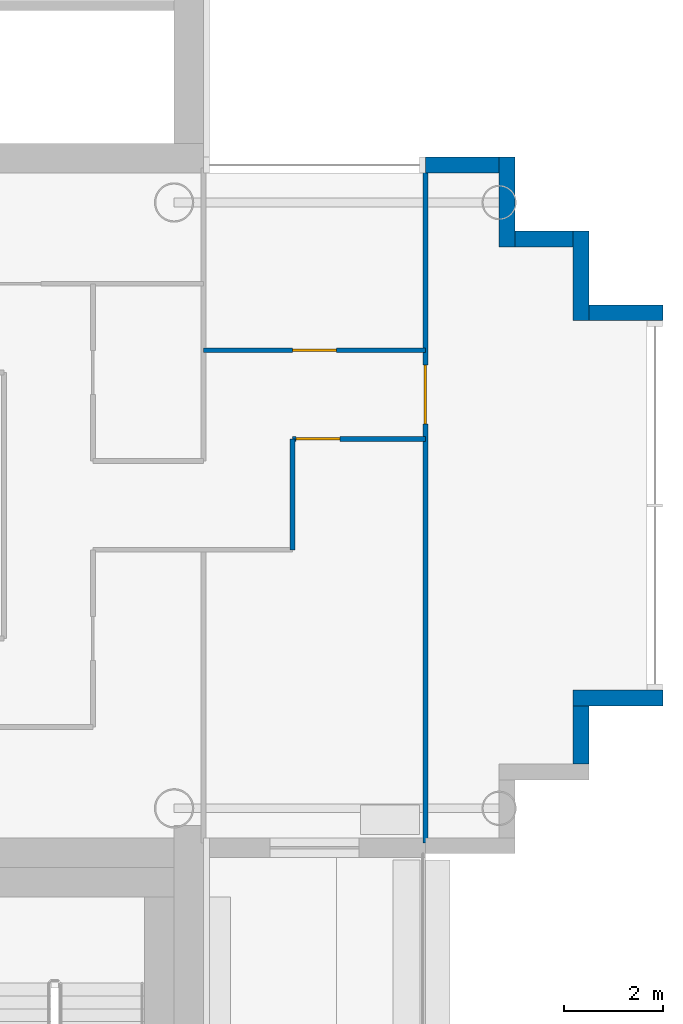
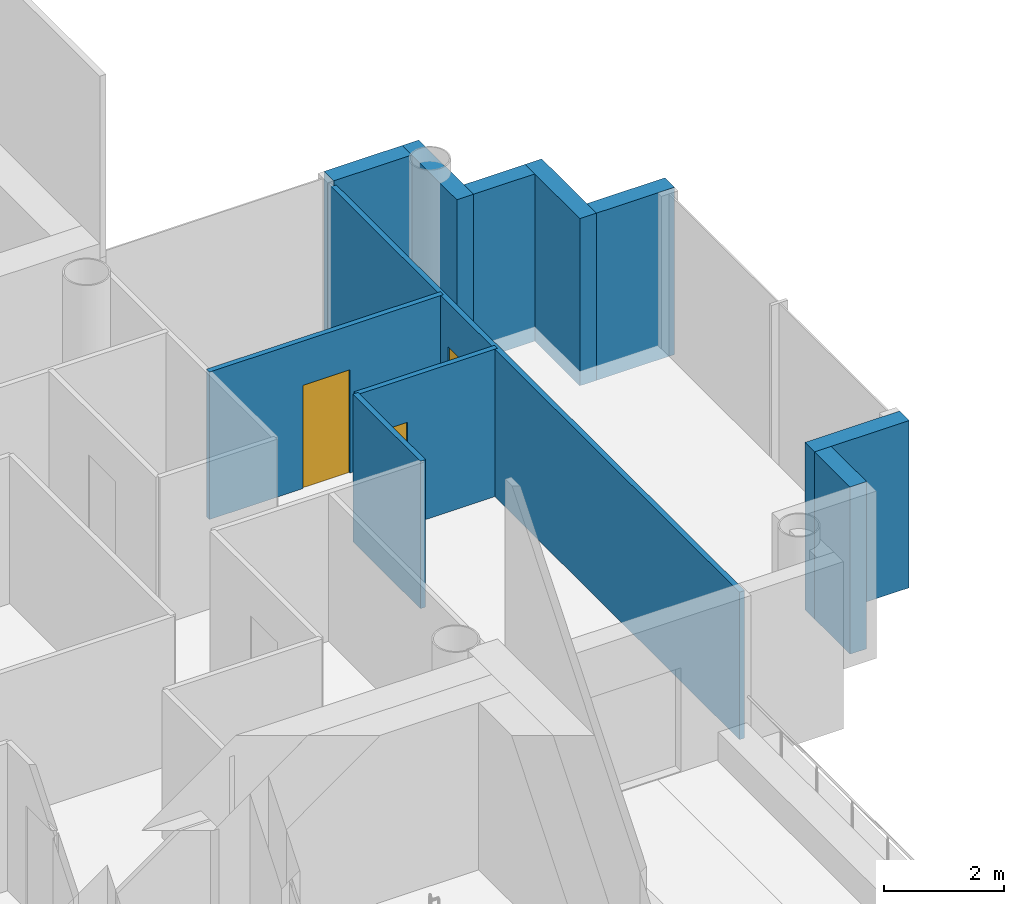
# One storey, part 11 of 18: 11 walls, 3 doors, 3 openings.
"""IFC4 building model written with IfcOpenShell, lengths in metres."""

from ifc_helpers import new_model, si_unit, direction, frame, frame_2d, origin, place, context, subcontext, project, spatial, rectangle, extrude, material, layer, layer_set, type_object, element, fill, save


model = new_model("IFC4")

# Units and contexts
model_context = context("Model", 3, precision=1e-05, world=origin(), true_north=direction((0.0, 1.0)))
body_context = subcontext(model_context, "Body", "Model", "MODEL_VIEW")
ifc_project = project(units=[si_unit("LENGTHUNIT", "METRE"), si_unit("AREAUNIT", "SQUARE_METRE"), si_unit("VOLUMEUNIT", "CUBIC_METRE"), si_unit("PLANEANGLEUNIT", "RADIAN"), si_unit("MASSUNIT", "GRAM", prefix="KILO")], contexts=[model_context])

# Site, building, storey
site_placement = place(None, origin())
site = spatial("IfcSite", under=ifc_project, at=site_placement, CompositionType="ELEMENT")
building_placement = place(site_placement, origin())
building = spatial("IfcBuilding", under=site, at=building_placement, Name="Ipe Terrace Towers", CompositionType="ELEMENT")
storey_placement = place(building_placement, frame((0.0, 0.0, 213.0)))
storey = spatial("IfcBuildingStorey", under=building, at=storey_placement, Name="L59", CompositionType="ELEMENT", Elevation=213.0)

# Walls
ifc_material_1 = material(Name="Concrete C40/50 with buff precast cladding", Category="concrete")
ifc_layer_1 = layer(ifc_material_1, 0.320068359375)
ifc_layer_set_1 = layer_set([ifc_layer_1], Name="BUFF CLADDING WALL 320")
wall_type_1 = type_object("IfcWallType", Name="BUFF CLADDING WALL 320", PredefinedType="STANDARD", material=ifc_layer_set_1)
wall_1_placement = place(storey_placement, frame((50.409912109375, -5.25, -0.300048828125), z_axis=(0.0, 0.0, 1.0), x_axis=(0.0, 1.0, 0.0)))
element("IfcWall", 1, at=wall_1_placement, inside=storey, type_object=wall_type_1, Name="T2-W-L59-06a wall", PredefinedType="STANDARD", context=body_context, shape_type="SweptSolid", body=[
    extrude(rectangle(XDim=1.179931640625, YDim=0.320068359375, at=frame_2d((0.58984375, 0.0))), origin(), (0.0, 0.0, 1.0), 3.400146484375),
])
wall_2_placement = place(storey_placement, frame((50.25, -3.909912109375, -0.300048828125), z_axis=(0.0, 0.0, 1.0), x_axis=(1.0, 0.0, 0.0)))
element("IfcWall", 2, at=wall_2_placement, inside=storey, type_object=wall_type_1, Name="T2-W-L59-07a wall", PredefinedType="STANDARD", context=body_context, shape_type="SweptSolid", body=[
    extrude(rectangle(XDim=1.820068359375, YDim=0.320068359375, at=frame_2d((0.91015625, 0.0))), origin(), (0.0, 0.0, 1.0), 3.400146484375),
])
wall_3_placement = place(storey_placement, frame((52.070068359375, 3.909912109375, -0.300048828125), z_axis=(0.0, 0.0, 1.0), x_axis=(-1.0, 0.0, 0.0)))
element("IfcWall", 3, at=wall_3_placement, inside=storey, type_object=wall_type_1, Name="T2-W-L59-09a wall", PredefinedType="STANDARD", context=body_context, shape_type="SweptSolid", body=[
    extrude(rectangle(XDim=1.5, YDim=0.320068359375, at=frame_2d((0.75, 0.0))), origin(), (0.0, 0.0, 1.0), 3.400146484375),
])
wall_4_placement = place(storey_placement, frame((50.409912109375, 3.75, -0.300048828125), z_axis=(0.0, 0.0, 1.0), x_axis=(0.0, 1.0, 0.0)))
element("IfcWall", 4, at=wall_4_placement, inside=storey, type_object=wall_type_1, Name="T2-W-L59-10a wall", PredefinedType="STANDARD", context=body_context, shape_type="SweptSolid", body=[
    extrude(rectangle(XDim=1.820068359375, YDim=0.320068359375, at=frame_2d((0.91015625, 0.0))), origin(), (0.0, 0.0, 1.0), 3.400146484375),
])
wall_5_placement = place(storey_placement, frame((50.25, 5.409912109375, -0.300048828125), z_axis=(0.0, 0.0, 1.0), x_axis=(-1.0, 0.0, 0.0)))
element("IfcWall", 5, at=wall_5_placement, inside=storey, type_object=wall_type_1, Name="T2-W-L59-11a wall", PredefinedType="STANDARD", context=body_context, shape_type="SweptSolid", body=[
    extrude(rectangle(XDim=1.179931640625, YDim=0.320068359375, at=frame_2d((0.58984375, 0.0))), origin(), (0.0, 0.0, 1.0), 3.400146484375),
])
wall_6_placement = place(storey_placement, frame((48.909912109375, 5.25, -0.300048828125), z_axis=(0.0, 0.0, 1.0), x_axis=(0.0, 1.0, 0.0)))
element("IfcWall", 6, at=wall_6_placement, inside=storey, type_object=wall_type_1, Name="T2-W-L59-12a wall", PredefinedType="STANDARD", context=body_context, shape_type="SweptSolid", body=[
    extrude(rectangle(XDim=1.820068359375, YDim=0.320068359375, at=frame_2d((0.91015625, 0.0))), origin(), (0.0, 0.0, 1.0), 3.400146484375),
])
wall_7_placement = place(storey_placement, frame((48.75, 6.909912109375, -0.300048828125), z_axis=(0.0, 0.0, 1.0), x_axis=(-1.0, 0.0, 0.0)))
element("IfcWall", 7, at=wall_7_placement, inside=storey, type_object=wall_type_1, Name="T2-W-L59-13a wall", PredefinedType="STANDARD", context=body_context, shape_type="SweptSolid", body=[
    extrude(rectangle(XDim=1.5, YDim=0.320068359375, at=frame_2d((0.75, 0.0))), origin(), (0.0, 0.0, 1.0), 3.400146484375),
])

# Wall, opening, door
ifc_material_2 = material(Name="Gypsum board partition", Category="plasterboard")
ifc_layer_2 = layer(ifc_material_2, 0.10009765625)
ifc_layer_set_2 = layer_set([ifc_layer_2], Name="Gypsum board partition 100 mm")
wall_type_2 = type_object("IfcWallType", Name="Gypsum board partition 100 mm", PredefinedType="PARTITIONING", material=ifc_layer_set_2)
wall_8_placement = place(storey_placement, frame((47.25, 1.35009765625, 0.0), z_axis=(0.0, 0.0, 1.0), x_axis=(-1.0, 0.0, 0.0)))
wall_8 = element("IfcWall", 8, at=wall_8_placement, inside=storey, type_object=wall_type_2, Name="Gypsum board partition T2 L59 W11", PredefinedType="PARTITIONING", context=body_context, shape_type="SweptSolid", body=[
    extrude(rectangle(XDim=2.699951171875, YDim=0.10009765625, at=frame_2d((1.35009765625, 0.0))), origin(), (0.0, 0.0, 1.0), 3.0),
])
opening_1_placement = place(wall_8_placement, frame((1.72998046875, 0.0, 0.0)))
opening_1 = element("IfcOpeningElement", 9, at=opening_1_placement, cuts=wall_8, Name="Opening T2-Z4E-17", PredefinedType="OPENING", context=body_context, shape_type="SweptSolid", body=[
    extrude(rectangle(XDim=0.89990234375, YDim=2.10009765625, at=frame_2d((0.449951171875, 1.050048828125))), frame((0.0, 0.06005859375, 0.0), z_axis=(0.0, -1.0, 0.0), x_axis=(1.0, 0.0, 0.0)), (0.0, 0.0, 1.0), 0.1201171875),
])
ifc_material_3 = material(Name="Timber door leaf", Category="wood")
door_type_1 = type_object("IfcDoorType", Name="Lounge door 900 x 2100", OperationType="NOTDEFINED", PredefinedType="DOOR", material=ifc_material_3)
door_1_placement = place(opening_1_placement, origin())
door_1 = element("IfcDoor", 10, at=door_1_placement, inside=storey, type_object=door_type_1, Name="Lounge door T2-Z4E-17", OperationType="SINGLE_SWING_LEFT", OverallHeight=2.10009765625, OverallWidth=0.89990234375, PredefinedType="DOOR", context=body_context, shape_type="SweptSolid", body=[
    extrude(rectangle(XDim=0.89990234375, YDim=2.10009765625, at=frame_2d((0.449951171875, 1.050048828125))), frame((0.0, 0.02490234375, 0.0), z_axis=(0.0, -1.0, 0.0), x_axis=(1.0, 0.0, 0.0)), (0.0, 0.0, 1.0), 0.050048828125),
])
fill(opening_1, door_1)

wall_9_placement = place(storey_placement, frame((47.25, 3.14990234375, 0.0), z_axis=(0.0, 0.0, 1.0), x_axis=(-1.0, 0.0, 0.0)))
wall_9 = element("IfcWall", 11, at=wall_9_placement, inside=storey, type_object=wall_type_2, Name="Gypsum board partition T2 L59 W14", PredefinedType="PARTITIONING", context=body_context, shape_type="SweptSolid", body=[
    extrude(rectangle(XDim=4.5, YDim=0.10009765625, at=frame_2d((2.25, 0.0))), origin(), (0.0, 0.0, 1.0), 3.0),
])
opening_2_placement = place(wall_9_placement, frame((1.800048828125, 0.0, 0.0)))
opening_2 = element("IfcOpeningElement", 12, at=opening_2_placement, cuts=wall_9, Name="Opening T2-Z4E-16", PredefinedType="OPENING", context=body_context, shape_type="SweptSolid", body=[
    extrude(rectangle(XDim=0.89990234375, YDim=2.10009765625, at=frame_2d((0.449951171875, 1.050048828125))), frame((0.0, 0.06005859375, 0.0), z_axis=(0.0, -1.0, 0.0), x_axis=(1.0, 0.0, 0.0)), (0.0, 0.0, 1.0), 0.1201171875),
])
door_2_placement = place(opening_2_placement, origin())
door_2 = element("IfcDoor", 13, at=door_2_placement, inside=storey, type_object=door_type_1, Name="Lounge door T2-Z4E-16", OperationType="SINGLE_SWING_RIGHT", OverallHeight=2.10009765625, OverallWidth=0.89990234375, PredefinedType="DOOR", context=body_context, shape_type="SweptSolid", body=[
    extrude(rectangle(XDim=0.89990234375, YDim=2.10009765625, at=frame_2d((0.449951171875, 1.050048828125))), frame((0.0, 0.02490234375, 0.0), z_axis=(0.0, -1.0, 0.0), x_axis=(1.0, 0.0, 0.0)), (0.0, 0.0, 1.0), 0.050048828125),
])
fill(opening_2, door_2)

wall_10_placement = place(storey_placement, frame((47.25, -6.85009765625, 0.0), z_axis=(0.0, 0.0, 1.0), x_axis=(0.0, 1.0, 0.0)))
wall_10 = element("IfcWall", 14, at=wall_10_placement, inside=storey, type_object=wall_type_2, Name="Gypsum board partition T2 L59 W17", PredefinedType="PARTITIONING", context=body_context, shape_type="SweptSolid", body=[
    extrude(rectangle(XDim=13.7001953125, YDim=0.10009765625, at=frame_2d((6.85009765625, 0.0))), origin(), (0.0, 0.0, 1.0), 3.0),
])
opening_3_placement = place(wall_10_placement, frame((8.5, 0.0, 0.0)))
opening_3 = element("IfcOpeningElement", 15, at=opening_3_placement, cuts=wall_10, Name="Opening T2-Z4E-18", PredefinedType="OPENING", context=body_context, shape_type="SweptSolid", body=[
    extrude(rectangle(XDim=1.199951171875, YDim=2.10009765625, at=frame_2d((0.60009765625, 1.050048828125))), frame((0.0, 0.06005859375, 0.0), z_axis=(0.0, -1.0, 0.0), x_axis=(1.0, 0.0, 0.0)), (0.0, 0.0, 1.0), 0.1201171875),
])
ifc_material_4 = material(Name="Timber door leaf", Category="wood")
door_type_2 = type_object("IfcDoorType", Name="Lounge door 1200 x 2100", OperationType="NOTDEFINED", PredefinedType="DOOR", material=ifc_material_4)
door_3_placement = place(opening_3_placement, origin())
door_3 = element("IfcDoor", 16, at=door_3_placement, inside=storey, type_object=door_type_2, Name="Lounge door T2-Z4E-18", OperationType="SINGLE_SWING_RIGHT", OverallHeight=2.10009765625, OverallWidth=1.199951171875, PredefinedType="DOOR", context=body_context, shape_type="SweptSolid", body=[
    extrude(rectangle(XDim=1.199951171875, YDim=2.10009765625, at=frame_2d((0.60009765625, 1.050048828125))), frame((0.0, 0.02490234375, 0.0), z_axis=(0.0, -1.0, 0.0), x_axis=(1.0, 0.0, 0.0)), (0.0, 0.0, 1.0), 0.050048828125),
])
fill(opening_3, door_3)

# Wall
wall_11_placement = place(storey_placement, frame((44.550048828125, -0.89990234375, 0.0), z_axis=(0.0, 0.0, 1.0), x_axis=(0.0, 1.0, 0.0)))
element("IfcWall", 17, at=wall_11_placement, inside=storey, type_object=wall_type_2, Name="Gypsum board partition T2 L59 W18", PredefinedType="PARTITIONING", context=body_context, shape_type="SweptSolid", body=[
    extrude(rectangle(XDim=2.25, YDim=0.10009765625, at=frame_2d((1.125, 0.0))), origin(), (0.0, 0.0, 1.0), 3.0),
])

save(model, "model.ifc")
